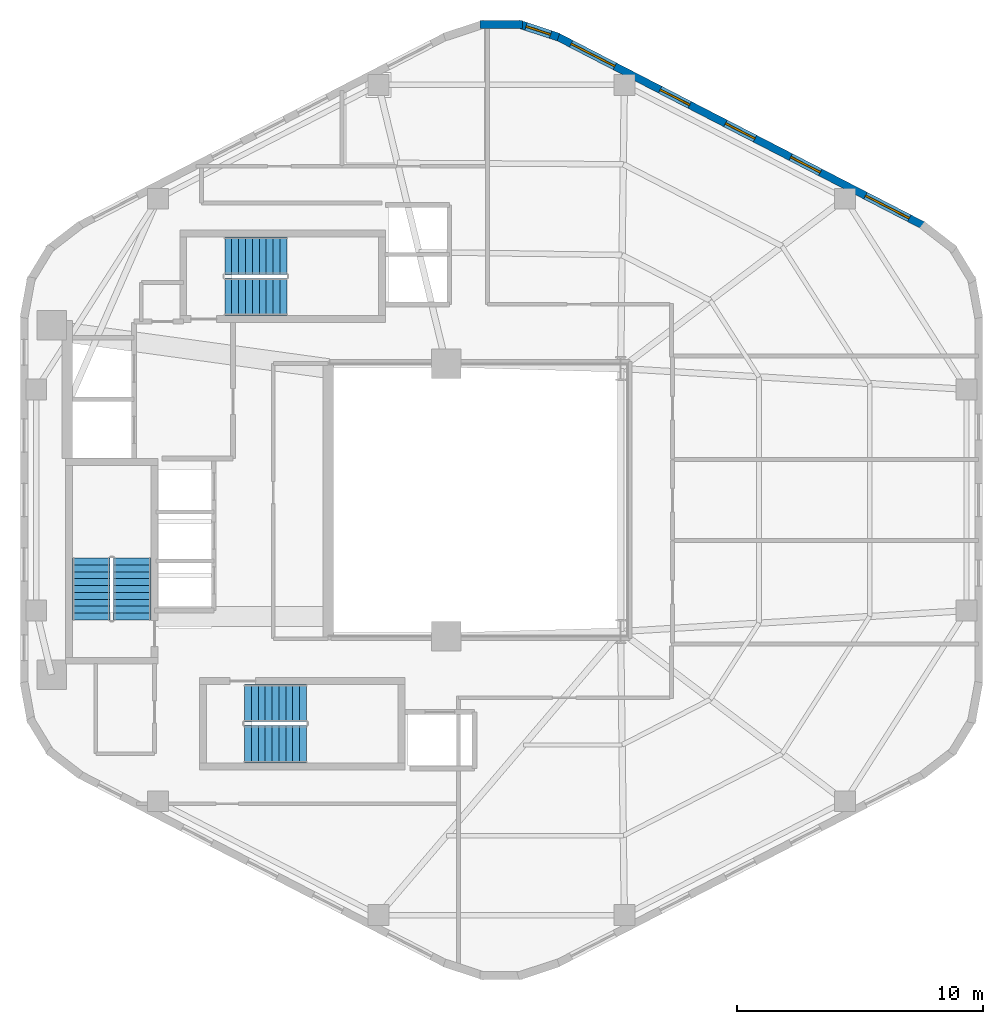
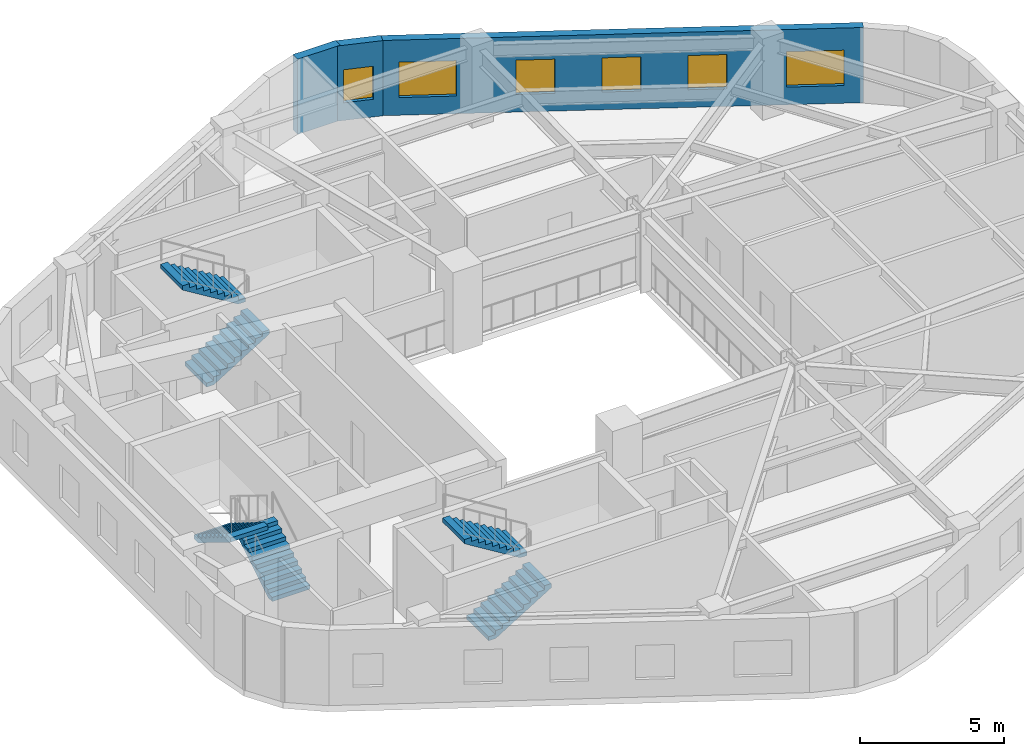
# One storey, part 5 of 6: 6 stair flights, 6 windows, 3 walls, 6 openings, 3 elements without a shape of their own.
"""IFC4 building model written with IfcOpenShell, lengths in metres."""

from ifc_helpers import new_model, si_unit, direction, frame, frame_2d, origin, place, context, subcontext, project, spatial, polyline, rectangle, outline, extrude, material, layer, layer_set, type_object, element, fill, aggregate, save


model = new_model("IFC4")

# Units and contexts
model_context = context("Model", 3, precision=1e-05, world=origin(), true_north=direction((0.0, 1.0)))
body_context = subcontext(model_context, "Body", "Model", "MODEL_VIEW")
ifc_project = project(units=[si_unit("LENGTHUNIT", "METRE"), si_unit("AREAUNIT", "SQUARE_METRE"), si_unit("VOLUMEUNIT", "CUBIC_METRE"), si_unit("PLANEANGLEUNIT", "RADIAN"), si_unit("MASSUNIT", "GRAM", prefix="KILO"), si_unit("THERMODYNAMICTEMPERATUREUNIT", "KELVIN"), si_unit("POWERUNIT", "WATT")], contexts=[model_context])

# Site, building, storey
site_placement = place(None, origin())
site = spatial("IfcSite", under=ifc_project, at=site_placement, CompositionType="ELEMENT")
building_placement = place(site_placement, origin())
building = spatial("IfcBuilding", under=site, at=building_placement, Name="Skarre Station Tower", CompositionType="ELEMENT")
storey_placement = place(building_placement, frame((0.0, 0.0, 206.800048828125)))
storey = spatial("IfcBuildingStorey", under=building, at=storey_placement, Name="L56", CompositionType="ELEMENT", Elevation=206.800048828125)

# Wall
ifc_material_1 = material(Name="Precast concrete C45/55", Category="concrete")
ifc_layer_1 = layer(ifc_material_1, 0.330078125, Name="Precast concrete C45/55")
ifc_layer_set_1 = layer_set([ifc_layer_1], Name="Precast concrete C45/55")
wall_type_1 = type_object("IfcWallType", Name="Nordic Rounded Corner Precast Wall 330", PredefinedType="STANDARD", material=ifc_layer_set_1)
wall_1_placement = place(storey_placement, frame((33.739013671875, 43.341064453125, 0.0), z_axis=(0.0, 0.0, 1.0), x_axis=(1.0, 0.0, 0.0)))
element("IfcWall", 1, at=wall_1_placement, inside=storey, type_object=wall_type_1, Name="L56 Rounded Corner Precast Wall F1-2", PredefinedType="STANDARD", context=body_context, shape_type="SweptSolid", body=[
    extrude(rectangle(XDim=1.721923828125, YDim=0.330078125, at=frame_2d((0.86083984375, 0.0))), origin(), (0.0, 0.0, 1.0), 3.18994140625),
])

# Wall, opening, window
wall_2_placement = place(storey_placement, frame((35.282958984375, 43.3701171875, 0.0), z_axis=(0.0, 0.0, 1.0), x_axis=(0.949937416267, -0.312440242569, 0.0)))
wall_2 = element("IfcWall", 2, at=wall_2_placement, inside=storey, type_object=wall_type_1, Name="L56 Rounded Corner Precast Wall F1-3", PredefinedType="STANDARD", context=body_context, shape_type="SweptSolid", body=[
    extrude(rectangle(XDim=1.72216796875, YDim=0.330078125, at=frame_2d((0.861083984375, 0.0))), origin(), (0.0, 0.0, 1.0), 3.18994140625),
])
opening_1_placement = place(wall_2_placement, frame((0.3359375, 0.0, 0.75)))
opening_1 = element("IfcOpeningElement", 3, at=opening_1_placement, cuts=wall_2, Name="Opening WN-SLT", PredefinedType="OPENING", context=body_context, shape_type="SweptSolid", body=[
    extrude(rectangle(XDim=1.050048828125, YDim=1.39990234375, at=frame_2d((0.52490234375, 0.699951171875))), frame((0.0, 0.175048828125, 0.0), z_axis=(0.0, -1.0, 0.0), x_axis=(1.0, 0.0, 0.0)), (0.0, 0.0, 1.0), 0.35009765625),
])
ifc_material_2 = material(Name="Low-Iron Triple Glazing with Bronze Anodized Frame", Category="glass")
window_type_1 = type_object("IfcWindowType", Name="Nordic Corner Slot Window 1050x1400", PartitioningType="SINGLE_PANEL", PredefinedType="WINDOW", material=ifc_material_2)
window_1_placement = place(opening_1_placement, origin())
window_1 = element("IfcWindow", 4, at=window_1_placement, inside=storey, type_object=window_type_1, Name="L56 Apex Corner Slot Window F1-3", OverallHeight=1.39990234375, OverallWidth=1.050048828125, PartitioningType="SINGLE_PANEL", PredefinedType="WINDOW", context=body_context, shape_type="SweptSolid", body=[
    extrude(rectangle(XDim=1.050048828125, YDim=1.39990234375, at=frame_2d((0.52490234375, 0.699951171875))), frame((0.0, 0.030029296875, 0.0), z_axis=(0.0, -1.0, 0.0), x_axis=(1.0, 0.0, 0.0)), (0.0, 0.0, 1.0), 0.06005859375),
])
fill(opening_1, window_1)

# Wall, openings, windows
ifc_layer_2 = layer(ifc_material_1, 0.31005859375, Name="Precast concrete C45/55")
ifc_layer_set_2 = layer_set([ifc_layer_2], Name="Precast concrete C45/55")
wall_type_2 = type_object("IfcWallType", Name="Nordic Upper-Zone Precast Facet Wall 310", PredefinedType="STANDARD", material=ifc_layer_set_2)
wall_3_placement = place(storey_placement, frame((36.837890625, 42.87109375, 0.0), z_axis=(0.0, 0.0, 1.0), x_axis=(0.888626188278, -0.458632202867, 0.0)))
wall_3 = element("IfcWall", 5, at=wall_3_placement, inside=storey, type_object=wall_type_2, Name="L56 Facet 0 Nordic Precast Masonry Wall", PredefinedType="STANDARD", context=body_context, shape_type="SweptSolid", body=[
    extrude(rectangle(XDim=16.828369140625, YDim=0.31005859375, at=frame_2d((8.4140625, 0.0))), origin(), (0.0, 0.0, 1.0), 3.18994140625),
])
opening_2_placement = place(wall_3_placement, frame((0.675048828125, 0.0, 0.75)))
opening_2 = element("IfcOpeningElement", 6, at=opening_2_placement, cuts=wall_3, Name="Opening WN-Z3A", PredefinedType="OPENING", context=body_context, shape_type="SweptSolid", body=[
    extrude(rectangle(XDim=2.0, YDim=1.5, at=frame_2d((1.0, 0.75))), frame((0.0, 0.1650390625, 0.0), z_axis=(0.0, -1.0, 0.0), x_axis=(1.0, 0.0, 0.0)), (0.0, 0.0, 1.0), 0.330078125),
])
opening_3_placement = place(wall_3_placement, frame((4.75, 0.0, 0.75)))
opening_3 = element("IfcOpeningElement", 7, at=opening_3_placement, cuts=wall_3, Name="Opening WN-Z3B", PredefinedType="OPENING", context=body_context, shape_type="SweptSolid", body=[
    extrude(rectangle(XDim=1.35009765625, YDim=1.449951171875, at=frame_2d((0.675048828125, 0.72509765625))), frame((0.0, 0.1650390625, 0.0), z_axis=(0.0, -1.0, 0.0), x_axis=(1.0, 0.0, 0.0)), (0.0, 0.0, 1.0), 0.330078125),
])
opening_4_placement = place(wall_3_placement, frame((7.739013671875, 0.0, 0.75)))
opening_4 = element("IfcOpeningElement", 8, at=opening_4_placement, cuts=wall_3, Name="Opening WN-Z3B", PredefinedType="OPENING", context=body_context, shape_type="SweptSolid", body=[
    extrude(rectangle(XDim=1.35009765625, YDim=1.449951171875, at=frame_2d((0.675048828125, 0.72509765625))), frame((0.0, 0.1650390625, 0.0), z_axis=(0.0, -1.0, 0.0), x_axis=(1.0, 0.0, 0.0)), (0.0, 0.0, 1.0), 0.330078125),
])
opening_5_placement = place(wall_3_placement, frame((10.72802734375, 0.0, 0.75)))
opening_5 = element("IfcOpeningElement", 9, at=opening_5_placement, cuts=wall_3, Name="Opening WN-Z3B", PredefinedType="OPENING", context=body_context, shape_type="SweptSolid", body=[
    extrude(rectangle(XDim=1.35009765625, YDim=1.449951171875, at=frame_2d((0.675048828125, 0.72509765625))), frame((0.0, 0.1650390625, 0.0), z_axis=(0.0, -1.0, 0.0), x_axis=(1.0, 0.0, 0.0)), (0.0, 0.0, 1.0), 0.330078125),
])
opening_6_placement = place(wall_3_placement, frame((14.153076171875, 0.0, 0.75)))
opening_6 = element("IfcOpeningElement", 10, at=opening_6_placement, cuts=wall_3, Name="Opening WN-Z3A", PredefinedType="OPENING", context=body_context, shape_type="SweptSolid", body=[
    extrude(rectangle(XDim=2.0, YDim=1.5, at=frame_2d((1.0, 0.75))), frame((0.0, 0.1650390625, 0.0), z_axis=(0.0, -1.0, 0.0), x_axis=(1.0, 0.0, 0.0)), (0.0, 0.0, 1.0), 0.330078125),
])
window_type_2 = type_object("IfcWindowType", Name="Nordic Hospitality Narrow Window 1350x1450", PartitioningType="SINGLE_PANEL", PredefinedType="WINDOW", material=ifc_material_2)
window_2_placement = place(opening_3_placement, origin())
window_2 = element("IfcWindow", 11, at=window_2_placement, inside=storey, type_object=window_type_2, Name="L56 Facade Window WL-FAC-L56-F0-2", OverallHeight=1.449951171875, OverallWidth=1.35009765625, PartitioningType="SINGLE_PANEL", PredefinedType="WINDOW", context=body_context, shape_type="SweptSolid", body=[
    extrude(rectangle(XDim=1.35009765625, YDim=1.449951171875, at=frame_2d((0.675048828125, 0.72509765625))), frame((0.0, 0.030029296875, 0.0), z_axis=(0.0, -1.0, 0.0), x_axis=(1.0, 0.0, 0.0)), (0.0, 0.0, 1.0), 0.06005859375),
])
fill(opening_3, window_2)
window_3_placement = place(opening_4_placement, origin())
window_3 = element("IfcWindow", 12, at=window_3_placement, inside=storey, type_object=window_type_2, Name="L56 Facade Window WL-FAC-L56-F0-3", OverallHeight=1.449951171875, OverallWidth=1.35009765625, PartitioningType="SINGLE_PANEL", PredefinedType="WINDOW", context=body_context, shape_type="SweptSolid", body=[
    extrude(rectangle(XDim=1.35009765625, YDim=1.449951171875, at=frame_2d((0.675048828125, 0.72509765625))), frame((0.0, 0.030029296875, 0.0), z_axis=(0.0, -1.0, 0.0), x_axis=(1.0, 0.0, 0.0)), (0.0, 0.0, 1.0), 0.06005859375),
])
fill(opening_4, window_3)
window_4_placement = place(opening_5_placement, origin())
window_4 = element("IfcWindow", 13, at=window_4_placement, inside=storey, type_object=window_type_2, Name="L56 Facade Window WL-FAC-L56-F0-4", OverallHeight=1.449951171875, OverallWidth=1.35009765625, PartitioningType="SINGLE_PANEL", PredefinedType="WINDOW", context=body_context, shape_type="SweptSolid", body=[
    extrude(rectangle(XDim=1.35009765625, YDim=1.449951171875, at=frame_2d((0.675048828125, 0.72509765625))), frame((0.0, 0.030029296875, 0.0), z_axis=(0.0, -1.0, 0.0), x_axis=(1.0, 0.0, 0.0)), (0.0, 0.0, 1.0), 0.06005859375),
])
fill(opening_5, window_4)
window_type_3 = type_object("IfcWindowType", Name="Nordic Hospitality Window 2000x1500", PartitioningType="SINGLE_PANEL", PredefinedType="WINDOW", material=ifc_material_2)
window_5_placement = place(opening_2_placement, origin())
window_5 = element("IfcWindow", 14, at=window_5_placement, inside=storey, type_object=window_type_3, Name="L56 Facade Window WL-FAC-L56-F0-1", OverallHeight=1.5, OverallWidth=2.0, PartitioningType="SINGLE_PANEL", PredefinedType="WINDOW", context=body_context, shape_type="SweptSolid", body=[
    extrude(rectangle(XDim=2.0, YDim=1.5, at=frame_2d((1.0, 0.75))), frame((0.0, 0.030029296875, 0.0), z_axis=(0.0, -1.0, 0.0), x_axis=(1.0, 0.0, 0.0)), (0.0, 0.0, 1.0), 0.06005859375),
])
fill(opening_2, window_5)
window_6_placement = place(opening_6_placement, origin())
window_6 = element("IfcWindow", 15, at=window_6_placement, inside=storey, type_object=window_type_3, Name="L56 Facade Window WL-FAC-L56-F0-5", OverallHeight=1.5, OverallWidth=2.0, PartitioningType="SINGLE_PANEL", PredefinedType="WINDOW", context=body_context, shape_type="SweptSolid", body=[
    extrude(rectangle(XDim=2.0, YDim=1.5, at=frame_2d((1.0, 0.75))), frame((0.0, 0.030029296875, 0.0), z_axis=(0.0, -1.0, 0.0), x_axis=(1.0, 0.0, 0.0)), (0.0, 0.0, 1.0), 0.06005859375),
])
fill(opening_6, window_6)

# Stair, stair flights
ifc_material_3 = material(Name="Concrete C40/50", Category="concrete")
stair_type_1 = type_object("IfcStairType", Name="Reinforced Concrete Exit Stair ST-1", PredefinedType="HALF_TURN_STAIR", material=ifc_material_3)
stair_1_placement = place(storey_placement, origin())
stair_1 = element("IfcStair", 16, at=stair_1_placement, inside=storey, type_object=stair_type_1, Name="L56 Core Exit Stair ST-1", PredefinedType="HALF_TURN_STAIR")
stair_flight_type_1 = type_object("IfcStairFlightType", Name="Reinforced Concrete Stair Flight ST-1", PredefinedType="STRAIGHT", material=ifc_material_3)
stair_flight_1_placement = place(storey_placement, frame((19.590087890625, 19.1201171875, 0.0), z_axis=(0.0, 0.0, 1.0), x_axis=(0.0, 1.0, 0.0)))
stair_flight_1 = element("IfcStairFlight", 17, at=stair_flight_1_placement, type_object=stair_flight_type_1, Name="ST-1 flight 1", NumberOfRisers=10, NumberOfTreads=9, PredefinedType="STRAIGHT", RiserHeight=0.1725, TreadLength=0.28, context=body_context, shape_type="SweptSolid", body=[
    extrude(outline(polyline([(0.0, 0.0), (0.0, 0.172607421875), (0.280029296875, 0.172607421875), (0.280029296875, 0.344970703125), (0.56005859375, 0.344970703125), (0.56005859375, 0.517578125), (0.840087890625, 0.517578125), (0.840087890625, 0.68994140625), (1.1201171875, 0.68994140625), (1.1201171875, 0.862548828125), (1.39990234375, 0.862548828125), (1.39990234375, 1.034912109375), (1.679931640625, 1.034912109375), (1.679931640625, 1.20751953125), (1.9599609375, 1.20751953125), (1.9599609375, 1.3798828125), (2.239990234375, 1.3798828125), (2.239990234375, 1.552490234375), (2.52001953125, 1.552490234375), (2.52001953125, 1.72509765625), (2.52001953125, 1.37646484375), (0.285888671875, 0.0), (0.0, 0.0)])), frame((0.0, 0.760009765625, 0.0), z_axis=(0.0, -1.0, 0.0), x_axis=(1.0, 0.0, 0.0)), (0.0, 0.0, 1.0), 1.52001953125),
])
stair_flight_2_placement = place(storey_placement, frame((17.909912109375, 21.639892578125, 1.724853515625), z_axis=(0.0, 0.0, 1.0), x_axis=(0.0, -1.0, 0.0)))
stair_flight_2 = element("IfcStairFlight", 18, at=stair_flight_2_placement, type_object=stair_flight_type_1, Name="ST-1 flight 2", NumberOfRisers=10, NumberOfTreads=9, PredefinedType="STRAIGHT", RiserHeight=0.1725, TreadLength=0.28, context=body_context, shape_type="SweptSolid", body=[
    extrude(outline(polyline([(0.0, 0.0), (0.0, 0.172607421875), (0.280029296875, 0.172607421875), (0.280029296875, 0.344970703125), (0.56005859375, 0.344970703125), (0.56005859375, 0.517578125), (0.840087890625, 0.517578125), (0.840087890625, 0.68994140625), (1.1201171875, 0.68994140625), (1.1201171875, 0.862548828125), (1.39990234375, 0.862548828125), (1.39990234375, 1.034912109375), (1.679931640625, 1.034912109375), (1.679931640625, 1.20751953125), (1.9599609375, 1.20751953125), (1.9599609375, 1.3798828125), (2.239990234375, 1.3798828125), (2.239990234375, 1.552490234375), (2.52001953125, 1.552490234375), (2.52001953125, 1.72509765625), (2.52001953125, 1.37646484375), (0.285888671875, 0.0), (0.0, 0.0)])), frame((0.0, 0.760009765625, 0.0), z_axis=(0.0, -1.0, 0.0), x_axis=(1.0, 0.0, 0.0)), (0.0, 0.0, 1.0), 1.52001953125),
])
aggregate(stair_1, [stair_flight_1, stair_flight_2])

stair_type_2 = type_object("IfcStairType", Name="Reinforced Concrete Exit Stair ST-2", PredefinedType="HALF_TURN_STAIR", material=ifc_material_3)
stair_2_placement = place(storey_placement, origin())
stair_2 = element("IfcStair", 19, at=stair_2_placement, inside=storey, type_object=stair_type_2, Name="L56 Core Exit Stair ST-2", PredefinedType="HALF_TURN_STAIR")
stair_flight_type_2 = type_object("IfcStairFlightType", Name="Reinforced Concrete Stair Flight ST-2", PredefinedType="STRAIGHT", material=ifc_material_3)
stair_flight_3_placement = place(storey_placement, frame((24.14990234375, 14.06005859375, 0.0), z_axis=(0.0, 0.0, 1.0), x_axis=(1.0, 0.0, 0.0)))
stair_flight_3 = element("IfcStairFlight", 20, at=stair_flight_3_placement, type_object=stair_flight_type_2, Name="ST-2 flight 1", NumberOfRisers=10, NumberOfTreads=9, PredefinedType="STRAIGHT", RiserHeight=0.1725, TreadLength=0.28, context=body_context, shape_type="SweptSolid", body=[
    extrude(outline(polyline([(0.0, 0.0), (0.0, 0.172607421875), (0.280029296875, 0.172607421875), (0.280029296875, 0.344970703125), (0.56005859375, 0.344970703125), (0.56005859375, 0.517578125), (0.840087890625, 0.517578125), (0.840087890625, 0.68994140625), (1.1201171875, 0.68994140625), (1.1201171875, 0.862548828125), (1.39990234375, 0.862548828125), (1.39990234375, 1.034912109375), (1.679931640625, 1.034912109375), (1.679931640625, 1.20751953125), (1.9599609375, 1.20751953125), (1.9599609375, 1.3798828125), (2.239990234375, 1.3798828125), (2.239990234375, 1.552490234375), (2.52001953125, 1.552490234375), (2.52001953125, 1.72509765625), (2.52001953125, 1.37646484375), (0.285888671875, 0.0), (0.0, 0.0)])), frame((0.0, 0.760009765625, 0.0), z_axis=(0.0, -1.0, 0.0), x_axis=(1.0, 0.0, 0.0)), (0.0, 0.0, 1.0), 1.52001953125),
])
stair_flight_4_placement = place(storey_placement, frame((26.669921875, 15.739990234375, 1.724853515625), z_axis=(0.0, 0.0, 1.0), x_axis=(-1.0, 0.0, 0.0)))
stair_flight_4 = element("IfcStairFlight", 21, at=stair_flight_4_placement, type_object=stair_flight_type_2, Name="ST-2 flight 2", NumberOfRisers=10, NumberOfTreads=9, PredefinedType="STRAIGHT", RiserHeight=0.1725, TreadLength=0.28, context=body_context, shape_type="SweptSolid", body=[
    extrude(outline(polyline([(0.0, 0.0), (0.0, 0.172607421875), (0.280029296875, 0.172607421875), (0.280029296875, 0.344970703125), (0.56005859375, 0.344970703125), (0.56005859375, 0.517578125), (0.840087890625, 0.517578125), (0.840087890625, 0.68994140625), (1.1201171875, 0.68994140625), (1.1201171875, 0.862548828125), (1.39990234375, 0.862548828125), (1.39990234375, 1.034912109375), (1.679931640625, 1.034912109375), (1.679931640625, 1.20751953125), (1.9599609375, 1.20751953125), (1.9599609375, 1.3798828125), (2.239990234375, 1.3798828125), (2.239990234375, 1.552490234375), (2.52001953125, 1.552490234375), (2.52001953125, 1.72509765625), (2.52001953125, 1.37646484375), (0.285888671875, 0.0), (0.0, 0.0)])), frame((0.0, 0.760009765625, 0.0), z_axis=(0.0, -1.0, 0.0), x_axis=(1.0, 0.0, 0.0)), (0.0, 0.0, 1.0), 1.52001953125),
])
aggregate(stair_2, [stair_flight_3, stair_flight_4])

stair_type_3 = type_object("IfcStairType", Name="Reinforced Concrete Exit Stair ST-3", PredefinedType="HALF_TURN_STAIR", material=ifc_material_3)
stair_3_placement = place(storey_placement, origin())
stair_3 = element("IfcStair", 22, at=stair_3_placement, inside=storey, type_object=stair_type_3, Name="L56 Core Exit Stair ST-3", PredefinedType="HALF_TURN_STAIR")
stair_flight_type_3 = type_object("IfcStairFlightType", Name="Reinforced Concrete Stair Flight ST-3", PredefinedType="STRAIGHT", material=ifc_material_3)
stair_flight_5_placement = place(storey_placement, frame((23.35009765625, 32.260009765625, 0.0), z_axis=(0.0, 0.0, 1.0), x_axis=(1.0, 0.0, 0.0)))
stair_flight_5 = element("IfcStairFlight", 23, at=stair_flight_5_placement, type_object=stair_flight_type_3, Name="ST-3 flight 1", NumberOfRisers=10, NumberOfTreads=9, PredefinedType="STRAIGHT", RiserHeight=0.1725, TreadLength=0.28, context=body_context, shape_type="SweptSolid", body=[
    extrude(outline(polyline([(0.0, 0.0), (0.0, 0.172607421875), (0.280029296875, 0.172607421875), (0.280029296875, 0.344970703125), (0.56005859375, 0.344970703125), (0.56005859375, 0.517578125), (0.840087890625, 0.517578125), (0.840087890625, 0.68994140625), (1.1201171875, 0.68994140625), (1.1201171875, 0.862548828125), (1.39990234375, 0.862548828125), (1.39990234375, 1.034912109375), (1.679931640625, 1.034912109375), (1.679931640625, 1.20751953125), (1.9599609375, 1.20751953125), (1.9599609375, 1.3798828125), (2.239990234375, 1.3798828125), (2.239990234375, 1.552490234375), (2.52001953125, 1.552490234375), (2.52001953125, 1.72509765625), (2.52001953125, 1.37646484375), (0.285888671875, 0.0), (0.0, 0.0)])), frame((0.0, 0.760009765625, 0.0), z_axis=(0.0, -1.0, 0.0), x_axis=(1.0, 0.0, 0.0)), (0.0, 0.0, 1.0), 1.52001953125),
])
stair_flight_6_placement = place(storey_placement, frame((25.8701171875, 33.93994140625, 1.724853515625), z_axis=(0.0, 0.0, 1.0), x_axis=(-1.0, 0.0, 0.0)))
stair_flight_6 = element("IfcStairFlight", 24, at=stair_flight_6_placement, type_object=stair_flight_type_3, Name="ST-3 flight 2", NumberOfRisers=10, NumberOfTreads=9, PredefinedType="STRAIGHT", RiserHeight=0.1725, TreadLength=0.28, context=body_context, shape_type="SweptSolid", body=[
    extrude(outline(polyline([(0.0, 0.0), (0.0, 0.172607421875), (0.280029296875, 0.172607421875), (0.280029296875, 0.344970703125), (0.56005859375, 0.344970703125), (0.56005859375, 0.517578125), (0.840087890625, 0.517578125), (0.840087890625, 0.68994140625), (1.1201171875, 0.68994140625), (1.1201171875, 0.862548828125), (1.39990234375, 0.862548828125), (1.39990234375, 1.034912109375), (1.679931640625, 1.034912109375), (1.679931640625, 1.20751953125), (1.9599609375, 1.20751953125), (1.9599609375, 1.3798828125), (2.239990234375, 1.3798828125), (2.239990234375, 1.552490234375), (2.52001953125, 1.552490234375), (2.52001953125, 1.72509765625), (2.52001953125, 1.37646484375), (0.285888671875, 0.0), (0.0, 0.0)])), frame((0.0, 0.760009765625, 0.0), z_axis=(0.0, -1.0, 0.0), x_axis=(1.0, 0.0, 0.0)), (0.0, 0.0, 1.0), 1.52001953125),
])
aggregate(stair_3, [stair_flight_5, stair_flight_6])

save(model, "model.ifc")
